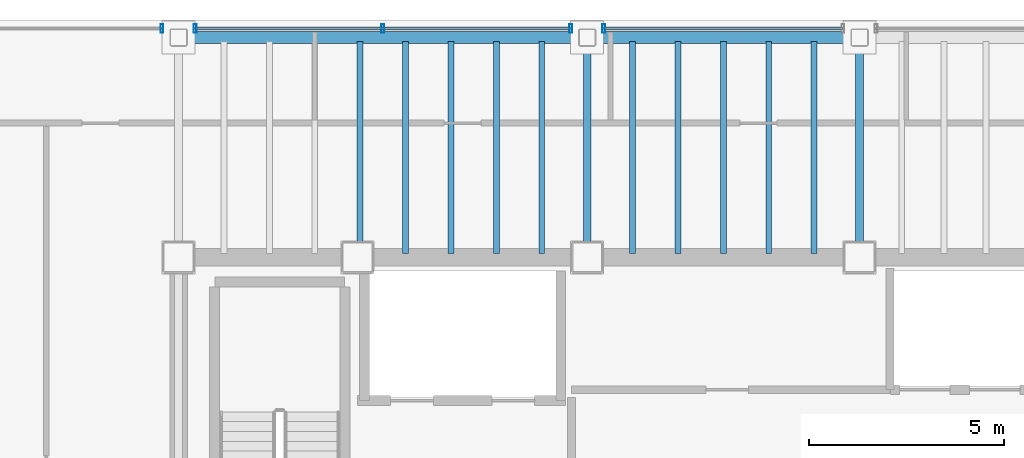
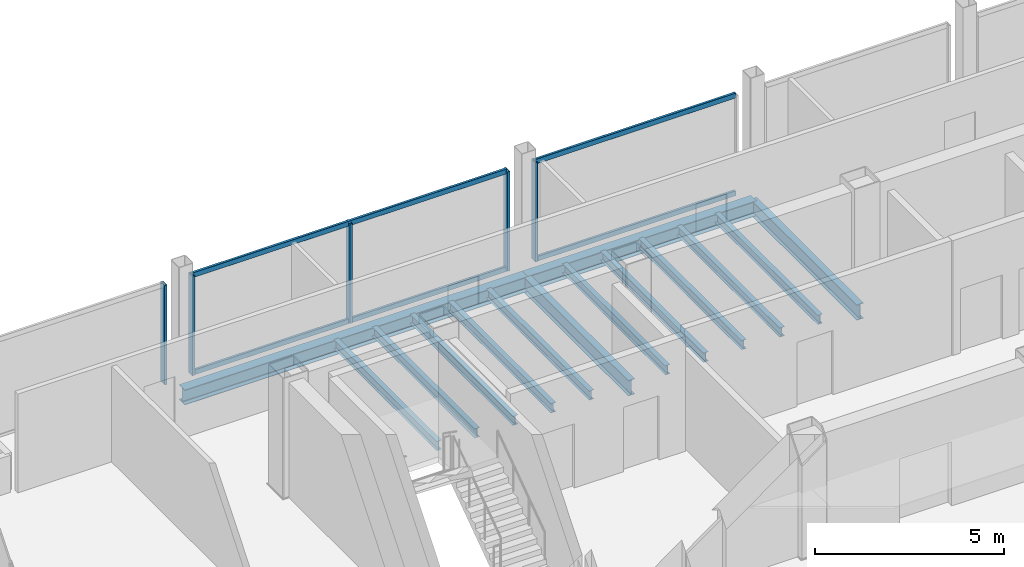
# One storey, part 8 of 16: 14 beams, 9 members, 3 elements without a shape of their own.
"""IFC4 building model written with IfcOpenShell, lengths in metres."""

import ifcopenshell
import ifcopenshell.guid

model = None  # the IFC model being written
_history = None  # IfcOwnerHistory: only IFC2X3 demands one
_inside = {}  # id of a spatial element -> (the spatial element, [elements in it])
_under = {}  # id of a project, library or spatial element -> (it, [spatial elements below it])
_declared = {}  # id of a project -> (the project, [libraries it declares])
_typed = {}  # id of a type object -> (the type object, [elements of that type])
_made_of = {}  # id of a material, layer set ... -> (it, [elements and type objects made of it])


def new_model(schema):
    """Start an empty IFC model of exactly this schema.

    Asked for "IFC4X3", IfcOpenShell would pick the latest addendum, in which some entities
    have other attributes; the version numbers below select the first issue.
    IFC2X3 requires an IfcOwnerHistory on every rooted entity: one is made here for all.
    """
    global model, _history
    if schema == "IFC4X3":
        model = ifcopenshell.file(schema_version=(4, 3, 0, 0))
    else:
        model = ifcopenshell.file(schema=schema)
    _inside.clear()
    _under.clear()
    _declared.clear()
    _typed.clear()
    _made_of.clear()
    _history = None
    if model.schema == "IFC2X3":
        org = make("IfcOrganization", Name="unknown")
        user = make(
            "IfcPersonAndOrganization",
            ThePerson=make("IfcPerson", FamilyName="unknown"),
            TheOrganization=org,
        )
        app = make(
            "IfcApplication",
            ApplicationDeveloper=org,
            Version="unknown",
            ApplicationFullName="unknown",
            ApplicationIdentifier="unknown",
        )
        _history = make(
            "IfcOwnerHistory",
            OwningUser=user,
            OwningApplication=app,
            ChangeAction="ADDED",
            CreationDate=0,
        )
    return model


def make(cls, **values):
    """One entity of the class cls with the attributes given. An attribute that is None is left unset."""
    return model.create_entity(
        cls, **{name: value for name, value in values.items() if value is not None}
    )


def rooted(cls, **values):
    """An entity with a GlobalId (a new one), such as an element, a storey or a relation."""
    return make(cls, GlobalId=ifcopenshell.guid.new(), OwnerHistory=_history, **values)


def si_unit(unit_type, name, prefix=None):
    """IfcSIUnit, for example si_unit("LENGTHUNIT", "METRE", prefix="MILLI")."""
    return make("IfcSIUnit", UnitType=unit_type, Prefix=prefix, Name=name)


def assignment(units):
    """IfcUnitAssignment: the units of a project."""
    return None if units is None else make("IfcUnitAssignment", Units=units)


def point(xyz):
    """IfcCartesianPoint."""
    return None if xyz is None else make("IfcCartesianPoint", Coordinates=xyz)


def direction(xyz):
    """IfcDirection."""
    return None if xyz is None else make("IfcDirection", DirectionRatios=xyz)


def frame(location, z_axis=None, x_axis=None):
    """IfcAxis2Placement3D, a coordinate frame: its origin and axes. An axis left out is left unset."""
    return make(
        "IfcAxis2Placement3D",
        Location=point(location),
        Axis=direction(z_axis),
        RefDirection=direction(x_axis),
    )


def frame_2d(location, x_axis=None):
    """IfcAxis2Placement2D, a coordinate frame in the plane: its origin and x axis."""
    return make(
        "IfcAxis2Placement2D", Location=point(location), RefDirection=direction(x_axis)
    )


def origin():
    """The frame at (0, 0, 0) with its axes left unset."""
    return frame((0.0, 0.0, 0.0))


def origin_2d():
    """The frame at (0, 0) in the plane with its x axis left unset."""
    return frame_2d((0.0, 0.0))


def place(relative_to, where):
    """IfcLocalPlacement: puts the frame where relative to a parent placement (None: the world)."""
    return make(
        "IfcLocalPlacement", PlacementRelTo=relative_to, RelativePlacement=where
    )


def context(
    kind, dimensions, precision=None, world=None, true_north=None, identifier=None
):
    """IfcGeometricRepresentationContext, for example the 3D "Model" context."""
    return make(
        "IfcGeometricRepresentationContext",
        ContextIdentifier=identifier,
        ContextType=kind,
        CoordinateSpaceDimension=dimensions,
        Precision=precision,
        WorldCoordinateSystem=world,
        TrueNorth=true_north,
    )


def subcontext(parent, identifier, kind, view, scale=None):
    """IfcGeometricRepresentationSubContext, for example "Body" below "Model"."""
    return make(
        "IfcGeometricRepresentationSubContext",
        ContextIdentifier=identifier,
        ContextType=kind,
        ParentContext=parent,
        TargetScale=scale,
        TargetView=view,
    )


def project(units=None, contexts=None):
    """IfcProject with its units and contexts."""
    return rooted(
        "IfcProject",
        Name="project",
        RepresentationContexts=contexts,
        UnitsInContext=assignment(units),
    )


def spatial(cls, under=None, at=None, **own):
    """A site, building, storey or space (cls), placed at a placement, below another one or the project."""
    s = rooted(cls, ObjectPlacement=at, **own)
    if under is not None:
        _under.setdefault(under.id(), (under, []))[1].append(s)
    return s


def profile(cls, at=None, kind="AREA", **sizes):
    """A parametric profile (cls). Its sizes go by their IFC names, for example OverallWidth=200.0."""
    return make(cls, ProfileType=kind, Position=at, **sizes)


def hollow_rectangle(**sizes):
    """IfcRectangleHollowProfileDef."""
    return profile("IfcRectangleHollowProfileDef", **sizes)


def i_section(**sizes):
    """IfcIShapeProfileDef."""
    return profile("IfcIShapeProfileDef", **sizes)


def extrude(swept, where, along, depth):
    """IfcExtrudedAreaSolid: the profile swept, set in the frame where, extruded along a direction by depth."""
    return make(
        "IfcExtrudedAreaSolid",
        SweptArea=swept,
        Position=where,
        ExtrudedDirection=direction(along),
        Depth=depth,
    )


def shape(context_of_items, identifier, shape_type, items):
    """IfcShapeRepresentation: the items that make up one representation, for example the "Body"."""
    return make(
        "IfcShapeRepresentation",
        ContextOfItems=context_of_items,
        RepresentationIdentifier=identifier,
        RepresentationType=shape_type,
        Items=items,
    )


def material(Name=None, Category=None):
    """IfcMaterial."""
    return make("IfcMaterial", Name=Name, Category=Category)


def material_profile(
    of_material, cross_section, Name=None, Category=None, Priority=None
):
    """IfcMaterialProfile: a cross section and its material."""
    return make(
        "IfcMaterialProfile",
        Name=Name,
        Material=of_material,
        Profile=cross_section,
        Priority=Priority,
        Category=Category,
    )


def profile_set(profiles, Name=None, composite=None):
    """IfcMaterialProfileSet."""
    return make(
        "IfcMaterialProfileSet",
        Name=Name,
        MaterialProfiles=profiles,
        CompositeProfile=composite,
    )


def made_of(thing, what):
    """Note that an element or type object is made of a material, layer set ...; save() writes the relation."""
    if what is not None:
        _made_of.setdefault(what.id(), (what, []))[1].append(thing)
    return thing


def type_object(cls, material=None, **own):
    """A type object (cls), such as IfcWallType, which elements share."""
    return made_of(rooted(cls, **own), material)


def element(
    cls,
    number,
    at=None,
    inside=None,
    cuts=None,
    type_object=None,
    material=None,
    context=None,
    identifier="Body",
    shape_type=None,
    held_by="IfcProductDefinitionShape",
    body=None,
    shapes=None,
    **own,
):
    """One element of the class cls, such as IfcWall. Its Tag is "e" and its number.

    at: its placement. inside: the storey or other place that contains it. cuts: it is an
    opening in that element (IfcRelVoidsElement). A single representation is given by context,
    identifier, shape_type and body (its items); several are given by shapes. held_by: the class
    of the entity that holds the representations. save() writes the other relations.
    """
    e = rooted(cls, Tag="e%d" % number, ObjectPlacement=at, **own)
    if body is not None:
        shapes = [shape(context, identifier, shape_type, body)]
    if shapes is not None:
        e.Representation = make(held_by, Representations=shapes)
    if inside is not None:
        _inside.setdefault(inside.id(), (inside, []))[1].append(e)
    if cuts is not None:
        rooted(
            "IfcRelVoidsElement", RelatingBuildingElement=cuts, RelatedOpeningElement=e
        )
    if type_object is not None:
        _typed.setdefault(type_object.id(), (type_object, []))[1].append(e)
    return made_of(e, material)


def aggregate(whole, parts):
    """IfcRelAggregates: a whole, such as a stair, and the parts it consists of."""
    return rooted("IfcRelAggregates", RelatingObject=whole, RelatedObjects=parts)


def save(model, path):
    """Write the relations noted so far, then the file.

    IfcRelAggregates (storeys below a building ...), IfcRelContainedInSpatialStructure (elements
    in a storey), IfcRelDefinesByType, IfcRelAssociatesMaterial and IfcRelDeclares: one each for
    every whole, place, type object, material and project.
    """
    for whole, parts in _under.values():
        aggregate(whole, parts)
    for where, things in _inside.values():
        rooted(
            "IfcRelContainedInSpatialStructure",
            RelatedElements=things,
            RelatingStructure=where,
        )
    for kind, things in _typed.values():
        rooted("IfcRelDefinesByType", RelatedObjects=things, RelatingType=kind)
    for what, things in _made_of.values():
        rooted("IfcRelAssociatesMaterial", RelatedObjects=things, RelatingMaterial=what)
    for by, libraries in _declared.values():
        rooted("IfcRelDeclares", RelatingContext=by, RelatedDefinitions=libraries)
    model.write(path)


model = new_model("IFC4")

# Units and contexts
model_context = context("Model", 3, precision=1e-05, world=origin(), true_north=direction((0.0, 1.0)))
body_context = subcontext(model_context, "Body", "Model", "MODEL_VIEW")
ifc_project = project(units=[si_unit("LENGTHUNIT", "METRE"), si_unit("AREAUNIT", "SQUARE_METRE"), si_unit("VOLUMEUNIT", "CUBIC_METRE"), si_unit("PLANEANGLEUNIT", "RADIAN"), si_unit("MASSUNIT", "GRAM", prefix="KILO")], contexts=[model_context])

# Site, building, storey
site_placement = place(None, origin())
site = spatial("IfcSite", under=ifc_project, at=site_placement, CompositionType="ELEMENT")
building_placement = place(site_placement, origin())
building = spatial("IfcBuilding", under=site, at=building_placement, Name="Noeulbin Bourse Tower", CompositionType="ELEMENT")
storey_placement = place(building_placement, frame((0.0, 0.0, 269.60009765625)))
storey = spatial("IfcBuildingStorey", under=building, at=storey_placement, Name="L67", CompositionType="ELEMENT", Elevation=269.60009765625)

# Beams
ifc_material_1 = material(Name="Steel S355", Category="steel")
ifc_material_profile_1 = material_profile(ifc_material_1, i_section(OverallWidth=0.199951171875, OverallDepth=0.5, WebThickness=0.010009765625, FlangeThickness=0.01611328125, FilletRadius=0.02001953125, at=origin_2d()), Name="H-500x200x10x16", Category="LoadBearing")
ifc_profile_set_1 = profile_set([ifc_material_profile_1], Name="Steel S355")
beam_type_1 = type_object("IfcBeamType", Name="BM-GRD-500", PredefinedType="USERDEFINED", material=ifc_profile_set_1)
for number, where, z_axis, x_axis, name in (
    (1, (24.0, 38.300048828125, -0.43017578125), (0.0, 1.0, 0.0), (-1.0, 0.0, 0.0), "Tower Primary Girder NS L67-2.4"),
    (2, (31.0, 38.300048828125, -0.43017578125), (0.0, 1.0, 0.0), (-1.0, 0.0, 0.0), "Tower Primary Girder NS L67-3.4"),
):
    element("IfcBeam", number, at=place(storey_placement, frame(where, z_axis=z_axis, x_axis=x_axis)), inside=storey, type_object=beam_type_1, Name=name, ObjectType="GIRDER", PredefinedType="USERDEFINED", context=body_context, shape_type="SweptSolid", body=[
        extrude(i_section(OverallWidth=0.199951171875, OverallDepth=0.5, WebThickness=0.010009765625, FlangeThickness=0.01611328125, FilletRadius=0.02001953125, at=origin_2d()), origin(), (0.0, 0.0, 1.0), 5.64990234375),
    ])
ifc_material_profile_2 = material_profile(ifc_material_1, i_section(OverallWidth=0.14990234375, OverallDepth=0.300048828125, WebThickness=0.006591796875, FlangeThickness=0.009033203125, FilletRadius=0.012939453125, at=origin_2d()), Name="H-300x150x6.5x9", Category="LoadBearing")
ifc_profile_set_2 = profile_set([ifc_material_profile_2], Name="Steel S355")
beam_type_2 = type_object("IfcBeamType", Name="BM-JST-300", PredefinedType="JOIST", material=ifc_profile_set_2)
for number, where, z_axis, x_axis, name in (
    (3, (18.166748046875, 38.39990234375, -0.330078125), (0.0, 1.0, 0.0), (-1.0, 0.0, 0.0), "Tower Composite Joist L67-08"),
    (4, (19.333251953125, 38.39990234375, -0.330078125), (0.0, 1.0, 0.0), (-1.0, 0.0, 0.0), "Tower Composite Joist L67-10"),
    (5, (20.5, 38.39990234375, -0.330078125), (0.0, 1.0, 0.0), (-1.0, 0.0, 0.0), "Tower Composite Joist L67-12"),
    (6, (21.666748046875, 38.39990234375, -0.330078125), (0.0, 1.0, 0.0), (-1.0, 0.0, 0.0), "Tower Composite Joist L67-14"),
    (7, (22.833251953125, 38.39990234375, -0.330078125), (0.0, 1.0, 0.0), (-1.0, 0.0, 0.0), "Tower Composite Joist L67-16"),
    (8, (25.166748046875, 38.39990234375, -0.330078125), (0.0, 1.0, 0.0), (-1.0, 0.0, 0.0), "Tower Composite Joist L67-18"),
    (9, (26.333251953125, 38.39990234375, -0.330078125), (0.0, 1.0, 0.0), (-1.0, 0.0, 0.0), "Tower Composite Joist L67-20"),
    (10, (27.5, 38.39990234375, -0.330078125), (0.0, 1.0, 0.0), (-1.0, 0.0, 0.0), "Tower Composite Joist L67-22"),
    (11, (28.666748046875, 38.39990234375, -0.330078125), (0.0, 1.0, 0.0), (-1.0, 0.0, 0.0), "Tower Composite Joist L67-24"),
    (12, (29.833251953125, 38.39990234375, -0.330078125), (0.0, 1.0, 0.0), (-1.0, 0.0, 0.0), "Tower Composite Joist L67-26"),
):
    element("IfcBeam", number, at=place(storey_placement, frame(where, z_axis=z_axis, x_axis=x_axis)), inside=storey, type_object=beam_type_2, Name=name, PredefinedType="JOIST", context=body_context, shape_type="SweptSolid", body=[
        extrude(i_section(OverallWidth=0.14990234375, OverallDepth=0.300048828125, WebThickness=0.006591796875, FlangeThickness=0.009033203125, FilletRadius=0.012939453125, at=origin_2d()), origin(), (0.0, 0.0, 1.0), 5.4501953125),
    ])
ifc_material_profile_3 = material_profile(ifc_material_1, i_section(OverallWidth=0.300048828125, OverallDepth=0.488037109375, WebThickness=0.010986328125, FlangeThickness=0.01806640625, FilletRadius=0.02197265625, at=origin_2d()), Name="H-488x300x11x18", Category="LoadBearing")
ifc_profile_set_3 = profile_set([ifc_material_profile_3], Name="Steel S355")
beam_type_3 = type_object("IfcBeamType", Name="BM-SPN-488", PredefinedType="SPANDREL", material=ifc_profile_set_3)
beam_1_placement = place(storey_placement, frame((13.5, 43.949951171875, -0.424072265625), z_axis=(1.0, 0.0, 0.0), x_axis=(0.0, 1.0, 0.0)))
element("IfcBeam", 13, at=beam_1_placement, inside=storey, type_object=beam_type_3, Name="North Spandrel L67-1", PredefinedType="SPANDREL", context=body_context, shape_type="SweptSolid", body=[
    extrude(i_section(OverallWidth=0.300048828125, OverallDepth=0.488037109375, WebThickness=0.010986328125, FlangeThickness=0.01806640625, FilletRadius=0.02197265625, at=origin_2d()), origin(), (0.0, 0.0, 1.0), 10.5),
])
beam_2_placement = place(storey_placement, frame((24.0, 43.949951171875, -0.424072265625), z_axis=(1.0, 0.0, 0.0), x_axis=(0.0, 1.0, 0.0)))
element("IfcBeam", 14, at=beam_2_placement, inside=storey, type_object=beam_type_3, Name="North Spandrel L67-2", PredefinedType="SPANDREL", context=body_context, shape_type="SweptSolid", body=[
    extrude(i_section(OverallWidth=0.300048828125, OverallDepth=0.488037109375, WebThickness=0.010986328125, FlangeThickness=0.01806640625, FilletRadius=0.02197265625, at=origin_2d()), origin(), (0.0, 0.0, 1.0), 7.0),
])

# Curtain wall, member
ifc_material_2 = material(Name="High-Selectivity Low-Iron Glazing", Category="glass")
curtain_wall_type = type_object("IfcCurtainWallType", Name="CW-SYS-4", PredefinedType="NOTDEFINED", material=ifc_material_2)
curtain_wall_1_placement = place(storey_placement, origin())
curtain_wall_1 = element("IfcCurtainWall", 15, at=curtain_wall_1_placement, inside=storey, type_object=curtain_wall_type, Name="Unitised Curtain Wall CW-L67-N-S1", PredefinedType="NOTDEFINED")
ifc_material_3 = material(Name="Anodised Aluminium 6063-T6", Category="aluminium")
ifc_material_profile_4 = material_profile(ifc_material_3, hollow_rectangle(XDim=0.074951171875, YDim=0.219970703125, WallThickness=0.0048828125, InnerFilletRadius=0.00244140625, OuterFilletRadius=0.0048828125, at=origin_2d()), Name="ALU-MULL-75x220x5", Category="LoadBearing")
ifc_profile_set_4 = profile_set([ifc_material_profile_4], Name="Anodised Aluminium 6063-T6")
member_type_1 = type_object("IfcMemberType", Name="CW-SYS-4-MUL", PredefinedType="MULLION", material=ifc_profile_set_4)
member_1_placement = place(storey_placement, frame((13.074951171875, 44.179931640625, -0.02001953125), z_axis=(0.0, 0.0, 1.0), x_axis=(1.0, 0.0, 0.0)))
member_1 = element("IfcMember", 16, at=member_1_placement, type_object=member_type_1, Name="Curtain Wall Mullion CW-L67-N-S1-M01", PredefinedType="MULLION", context=body_context, shape_type="SweptSolid", body=[
    extrude(hollow_rectangle(XDim=0.074951171875, YDim=0.219970703125, WallThickness=0.0048828125, InnerFilletRadius=0.00244140625, OuterFilletRadius=0.0048828125, at=origin_2d()), origin(), (0.0, 0.0, 1.0), 3.219970703125),
])
aggregate(curtain_wall_1, [member_1])

# Curtain wall, members
curtain_wall_2_placement = place(storey_placement, origin())
curtain_wall_2 = element("IfcCurtainWall", 17, at=curtain_wall_2_placement, inside=storey, type_object=curtain_wall_type, Name="Unitised Curtain Wall CW-L67-N-S2", PredefinedType="NOTDEFINED")
member_2_placement = place(storey_placement, frame((13.925048828125, 44.179931640625, -0.02001953125), z_axis=(0.0, 0.0, 1.0), x_axis=(1.0, 0.0, 0.0)))
member_2 = element("IfcMember", 18, at=member_2_placement, type_object=member_type_1, Name="Curtain Wall Mullion CW-L67-N-S2-M00", PredefinedType="MULLION", context=body_context, shape_type="SweptSolid", body=[
    extrude(hollow_rectangle(XDim=0.074951171875, YDim=0.219970703125, WallThickness=0.0048828125, InnerFilletRadius=0.00244140625, OuterFilletRadius=0.0048828125, at=origin_2d()), origin(), (0.0, 0.0, 1.0), 3.219970703125),
])
member_3_placement = place(storey_placement, frame((18.75, 44.179931640625, -0.02001953125), z_axis=(0.0, 0.0, 1.0), x_axis=(1.0, 0.0, 0.0)))
member_3 = element("IfcMember", 19, at=member_3_placement, type_object=member_type_1, Name="Curtain Wall Mullion CW-L67-N-S2-M01", PredefinedType="MULLION", context=body_context, shape_type="SweptSolid", body=[
    extrude(hollow_rectangle(XDim=0.074951171875, YDim=0.219970703125, WallThickness=0.0048828125, InnerFilletRadius=0.00244140625, OuterFilletRadius=0.0048828125, at=origin_2d()), origin(), (0.0, 0.0, 1.0), 3.219970703125),
])
member_4_placement = place(storey_placement, frame((23.574951171875, 44.179931640625, -0.02001953125), z_axis=(0.0, 0.0, 1.0), x_axis=(1.0, 0.0, 0.0)))
member_4 = element("IfcMember", 20, at=member_4_placement, type_object=member_type_1, Name="Curtain Wall Mullion CW-L67-N-S2-M02", PredefinedType="MULLION", context=body_context, shape_type="SweptSolid", body=[
    extrude(hollow_rectangle(XDim=0.074951171875, YDim=0.219970703125, WallThickness=0.0048828125, InnerFilletRadius=0.00244140625, OuterFilletRadius=0.0048828125, at=origin_2d()), origin(), (0.0, 0.0, 1.0), 3.219970703125),
])

# Curtain wall, member
curtain_wall_3_placement = place(storey_placement, origin())
curtain_wall_3 = element("IfcCurtainWall", 21, at=curtain_wall_3_placement, inside=storey, type_object=curtain_wall_type, Name="Unitised Curtain Wall CW-L67-N-S3", PredefinedType="NOTDEFINED")
member_5_placement = place(storey_placement, frame((24.425048828125, 44.179931640625, -0.02001953125), z_axis=(0.0, 0.0, 1.0), x_axis=(1.0, 0.0, 0.0)))
member_5 = element("IfcMember", 22, at=member_5_placement, type_object=member_type_1, Name="Curtain Wall Mullion CW-L67-N-S3-M00", PredefinedType="MULLION", context=body_context, shape_type="SweptSolid", body=[
    extrude(hollow_rectangle(XDim=0.074951171875, YDim=0.219970703125, WallThickness=0.0048828125, InnerFilletRadius=0.00244140625, OuterFilletRadius=0.0048828125, at=origin_2d()), origin(), (0.0, 0.0, 1.0), 3.219970703125),
])

# Member
ifc_material_profile_5 = material_profile(ifc_material_3, hollow_rectangle(XDim=0.074951171875, YDim=0.159912109375, WallThickness=0.0048828125, InnerFilletRadius=0.00244140625, OuterFilletRadius=0.0048828125, at=origin_2d()), Name="ALU-TRAN-75x160x5", Category="LoadBearing")
ifc_profile_set_5 = profile_set([ifc_material_profile_5], Name="Anodised Aluminium 6063-T6")
member_type_2 = type_object("IfcMemberType", Name="CW-SYS-4-TRN", PredefinedType="USERDEFINED", material=ifc_profile_set_5)
member_6_placement = place(storey_placement, frame((13.93505859375, 44.179931640625, 0.010009765625), z_axis=(1.0, 0.0, 0.0), x_axis=(0.0, 1.0, 0.0)))
member_6 = element("IfcMember", 23, at=member_6_placement, type_object=member_type_2, Name="Curtain Wall Transom CW-L67-N-S2-T00", ObjectType="TRANSOM", PredefinedType="USERDEFINED", context=body_context, shape_type="SweptSolid", body=[
    extrude(hollow_rectangle(XDim=0.074951171875, YDim=0.159912109375, WallThickness=0.0048828125, InnerFilletRadius=0.00244140625, OuterFilletRadius=0.0048828125, at=origin_2d()), origin(), (0.0, 0.0, 1.0), 9.6298828125),
])

member_7_placement = place(storey_placement, frame((13.93505859375, 44.179931640625, 3.169921875), z_axis=(1.0, 0.0, 0.0), x_axis=(0.0, 1.0, 0.0)))
member_7 = element("IfcMember", 24, at=member_7_placement, type_object=member_type_2, Name="Curtain Wall Transom CW-L67-N-S2-T01", ObjectType="TRANSOM", PredefinedType="USERDEFINED", context=body_context, shape_type="SweptSolid", body=[
    extrude(hollow_rectangle(XDim=0.074951171875, YDim=0.159912109375, WallThickness=0.0048828125, InnerFilletRadius=0.00244140625, OuterFilletRadius=0.0048828125, at=origin_2d()), origin(), (0.0, 0.0, 1.0), 9.6298828125),
])

aggregate(curtain_wall_2, [member_2, member_3, member_4, member_6, member_7])

member_8_placement = place(storey_placement, frame((24.43505859375, 44.179931640625, 0.010009765625), z_axis=(1.0, 0.0, 0.0), x_axis=(0.0, 1.0, 0.0)))
member_8 = element("IfcMember", 25, at=member_8_placement, type_object=member_type_2, Name="Curtain Wall Transom CW-L67-N-S3-T00", ObjectType="TRANSOM", PredefinedType="USERDEFINED", context=body_context, shape_type="SweptSolid", body=[
    extrude(hollow_rectangle(XDim=0.074951171875, YDim=0.159912109375, WallThickness=0.0048828125, InnerFilletRadius=0.00244140625, OuterFilletRadius=0.0048828125, at=origin_2d()), origin(), (0.0, 0.0, 1.0), 6.1298828125),
])

member_9_placement = place(storey_placement, frame((24.43505859375, 44.179931640625, 3.169921875), z_axis=(1.0, 0.0, 0.0), x_axis=(0.0, 1.0, 0.0)))
member_9 = element("IfcMember", 26, at=member_9_placement, type_object=member_type_2, Name="Curtain Wall Transom CW-L67-N-S3-T01", ObjectType="TRANSOM", PredefinedType="USERDEFINED", context=body_context, shape_type="SweptSolid", body=[
    extrude(hollow_rectangle(XDim=0.074951171875, YDim=0.159912109375, WallThickness=0.0048828125, InnerFilletRadius=0.00244140625, OuterFilletRadius=0.0048828125, at=origin_2d()), origin(), (0.0, 0.0, 1.0), 6.1298828125),
])

aggregate(curtain_wall_3, [member_5, member_8, member_9])

save(model, "model.ifc")
